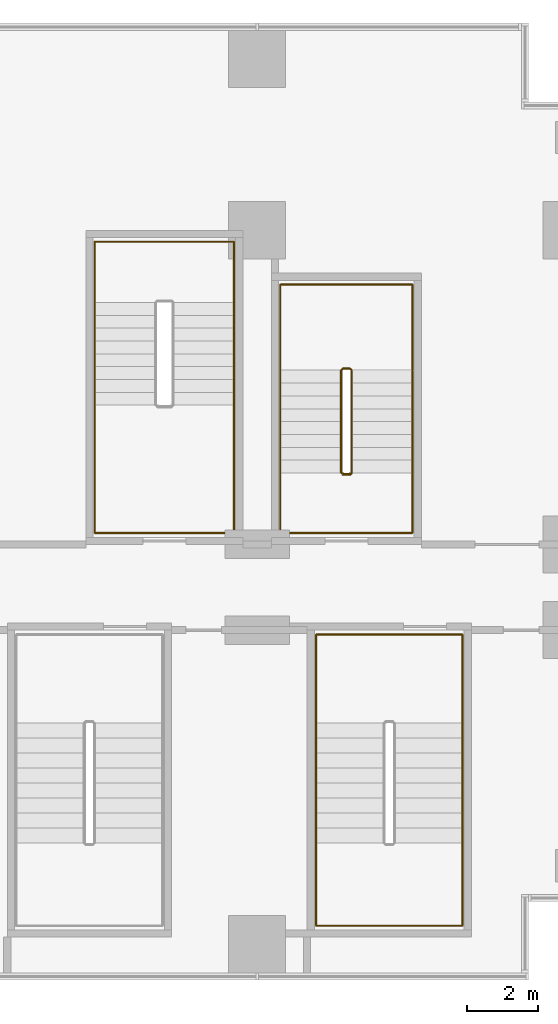
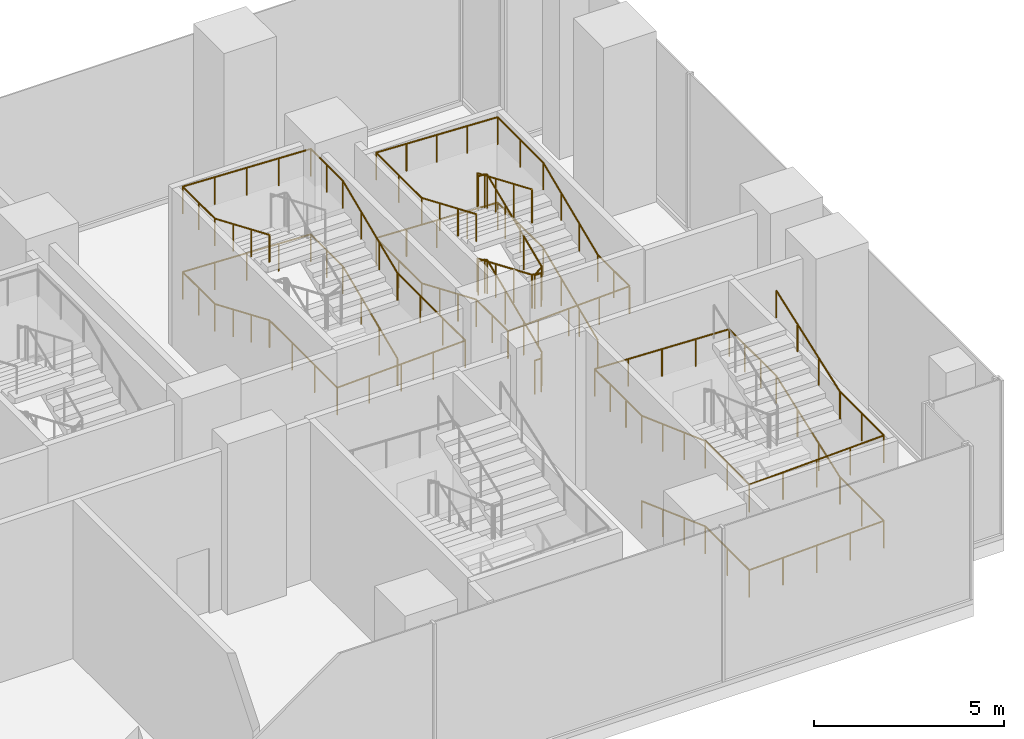
# One storey, part 29 of 30: 4 railings.
"""IFC4 building model written with IfcOpenShell, lengths in metres."""

import ifcopenshell
import ifcopenshell.guid

model = None  # the IFC model being written
_history = None  # IfcOwnerHistory: only IFC2X3 demands one
_inside = {}  # id of a spatial element -> (the spatial element, [elements in it])
_under = {}  # id of a project, library or spatial element -> (it, [spatial elements below it])
_declared = {}  # id of a project -> (the project, [libraries it declares])
_typed = {}  # id of a type object -> (the type object, [elements of that type])
_made_of = {}  # id of a material, layer set ... -> (it, [elements and type objects made of it])


def new_model(schema):
    """Start an empty IFC model of exactly this schema.

    Asked for "IFC4X3", IfcOpenShell would pick the latest addendum, in which some entities
    have other attributes; the version numbers below select the first issue.
    IFC2X3 requires an IfcOwnerHistory on every rooted entity: one is made here for all.
    """
    global model, _history
    if schema == "IFC4X3":
        model = ifcopenshell.file(schema_version=(4, 3, 0, 0))
    else:
        model = ifcopenshell.file(schema=schema)
    _inside.clear()
    _under.clear()
    _declared.clear()
    _typed.clear()
    _made_of.clear()
    _history = None
    if model.schema == "IFC2X3":
        org = make("IfcOrganization", Name="unknown")
        user = make(
            "IfcPersonAndOrganization",
            ThePerson=make("IfcPerson", FamilyName="unknown"),
            TheOrganization=org,
        )
        app = make(
            "IfcApplication",
            ApplicationDeveloper=org,
            Version="unknown",
            ApplicationFullName="unknown",
            ApplicationIdentifier="unknown",
        )
        _history = make(
            "IfcOwnerHistory",
            OwningUser=user,
            OwningApplication=app,
            ChangeAction="ADDED",
            CreationDate=0,
        )
    return model


def make(cls, **values):
    """One entity of the class cls with the attributes given. An attribute that is None is left unset."""
    return model.create_entity(
        cls, **{name: value for name, value in values.items() if value is not None}
    )


def rooted(cls, **values):
    """An entity with a GlobalId (a new one), such as an element, a storey or a relation."""
    return make(cls, GlobalId=ifcopenshell.guid.new(), OwnerHistory=_history, **values)


def si_unit(unit_type, name, prefix=None):
    """IfcSIUnit, for example si_unit("LENGTHUNIT", "METRE", prefix="MILLI")."""
    return make("IfcSIUnit", UnitType=unit_type, Prefix=prefix, Name=name)


def assignment(units):
    """IfcUnitAssignment: the units of a project."""
    return None if units is None else make("IfcUnitAssignment", Units=units)


def point(xyz):
    """IfcCartesianPoint."""
    return None if xyz is None else make("IfcCartesianPoint", Coordinates=xyz)


def direction(xyz):
    """IfcDirection."""
    return None if xyz is None else make("IfcDirection", DirectionRatios=xyz)


def frame(location, z_axis=None, x_axis=None):
    """IfcAxis2Placement3D, a coordinate frame: its origin and axes. An axis left out is left unset."""
    return make(
        "IfcAxis2Placement3D",
        Location=point(location),
        Axis=direction(z_axis),
        RefDirection=direction(x_axis),
    )


def frame_2d(location, x_axis=None):
    """IfcAxis2Placement2D, a coordinate frame in the plane: its origin and x axis."""
    return make(
        "IfcAxis2Placement2D", Location=point(location), RefDirection=direction(x_axis)
    )


def origin():
    """The frame at (0, 0, 0) with its axes left unset."""
    return frame((0.0, 0.0, 0.0))


def origin_2d():
    """The frame at (0, 0) in the plane with its x axis left unset."""
    return frame_2d((0.0, 0.0))


def place(relative_to, where):
    """IfcLocalPlacement: puts the frame where relative to a parent placement (None: the world)."""
    return make(
        "IfcLocalPlacement", PlacementRelTo=relative_to, RelativePlacement=where
    )


def context(
    kind, dimensions, precision=None, world=None, true_north=None, identifier=None
):
    """IfcGeometricRepresentationContext, for example the 3D "Model" context."""
    return make(
        "IfcGeometricRepresentationContext",
        ContextIdentifier=identifier,
        ContextType=kind,
        CoordinateSpaceDimension=dimensions,
        Precision=precision,
        WorldCoordinateSystem=world,
        TrueNorth=true_north,
    )


def subcontext(parent, identifier, kind, view, scale=None):
    """IfcGeometricRepresentationSubContext, for example "Body" below "Model"."""
    return make(
        "IfcGeometricRepresentationSubContext",
        ContextIdentifier=identifier,
        ContextType=kind,
        ParentContext=parent,
        TargetScale=scale,
        TargetView=view,
    )


def project(units=None, contexts=None):
    """IfcProject with its units and contexts."""
    return rooted(
        "IfcProject",
        Name="project",
        RepresentationContexts=contexts,
        UnitsInContext=assignment(units),
    )


def spatial(cls, under=None, at=None, **own):
    """A site, building, storey or space (cls), placed at a placement, below another one or the project."""
    s = rooted(cls, ObjectPlacement=at, **own)
    if under is not None:
        _under.setdefault(under.id(), (under, []))[1].append(s)
    return s


def profile(cls, at=None, kind="AREA", **sizes):
    """A parametric profile (cls). Its sizes go by their IFC names, for example OverallWidth=200.0."""
    return make(cls, ProfileType=kind, Position=at, **sizes)


def circle(**sizes):
    """IfcCircleProfileDef."""
    return profile("IfcCircleProfileDef", **sizes)


def extrude(swept, where, along, depth):
    """IfcExtrudedAreaSolid: the profile swept, set in the frame where, extruded along a direction by depth."""
    return make(
        "IfcExtrudedAreaSolid",
        SweptArea=swept,
        Position=where,
        ExtrudedDirection=direction(along),
        Depth=depth,
    )


def shape(context_of_items, identifier, shape_type, items):
    """IfcShapeRepresentation: the items that make up one representation, for example the "Body"."""
    return make(
        "IfcShapeRepresentation",
        ContextOfItems=context_of_items,
        RepresentationIdentifier=identifier,
        RepresentationType=shape_type,
        Items=items,
    )


def material(Name=None, Category=None):
    """IfcMaterial."""
    return make("IfcMaterial", Name=Name, Category=Category)


def made_of(thing, what):
    """Note that an element or type object is made of a material, layer set ...; save() writes the relation."""
    if what is not None:
        _made_of.setdefault(what.id(), (what, []))[1].append(thing)
    return thing


def type_object(cls, material=None, **own):
    """A type object (cls), such as IfcWallType, which elements share."""
    return made_of(rooted(cls, **own), material)


def element(
    cls,
    number,
    at=None,
    inside=None,
    cuts=None,
    type_object=None,
    material=None,
    context=None,
    identifier="Body",
    shape_type=None,
    held_by="IfcProductDefinitionShape",
    body=None,
    shapes=None,
    **own,
):
    """One element of the class cls, such as IfcWall. Its Tag is "e" and its number.

    at: its placement. inside: the storey or other place that contains it. cuts: it is an
    opening in that element (IfcRelVoidsElement). A single representation is given by context,
    identifier, shape_type and body (its items); several are given by shapes. held_by: the class
    of the entity that holds the representations. save() writes the other relations.
    """
    e = rooted(cls, Tag="e%d" % number, ObjectPlacement=at, **own)
    if body is not None:
        shapes = [shape(context, identifier, shape_type, body)]
    if shapes is not None:
        e.Representation = make(held_by, Representations=shapes)
    if inside is not None:
        _inside.setdefault(inside.id(), (inside, []))[1].append(e)
    if cuts is not None:
        rooted(
            "IfcRelVoidsElement", RelatingBuildingElement=cuts, RelatedOpeningElement=e
        )
    if type_object is not None:
        _typed.setdefault(type_object.id(), (type_object, []))[1].append(e)
    return made_of(e, material)


def aggregate(whole, parts):
    """IfcRelAggregates: a whole, such as a stair, and the parts it consists of."""
    return rooted("IfcRelAggregates", RelatingObject=whole, RelatedObjects=parts)


def save(model, path):
    """Write the relations noted so far, then the file.

    IfcRelAggregates (storeys below a building ...), IfcRelContainedInSpatialStructure (elements
    in a storey), IfcRelDefinesByType, IfcRelAssociatesMaterial and IfcRelDeclares: one each for
    every whole, place, type object, material and project.
    """
    for whole, parts in _under.values():
        aggregate(whole, parts)
    for where, things in _inside.values():
        rooted(
            "IfcRelContainedInSpatialStructure",
            RelatedElements=things,
            RelatingStructure=where,
        )
    for kind, things in _typed.values():
        rooted("IfcRelDefinesByType", RelatedObjects=things, RelatingType=kind)
    for what, things in _made_of.values():
        rooted("IfcRelAssociatesMaterial", RelatedObjects=things, RelatingMaterial=what)
    for by, libraries in _declared.values():
        rooted("IfcRelDeclares", RelatingContext=by, RelatedDefinitions=libraries)
    model.write(path)


model = new_model("IFC4")

# Units and contexts
model_context = context("Model", 3, precision=1e-05, world=origin(), true_north=direction((0.0, 1.0)))
body_context = subcontext(model_context, "Body", "Model", "MODEL_VIEW")
ifc_project = project(units=[si_unit("LENGTHUNIT", "METRE"), si_unit("AREAUNIT", "SQUARE_METRE"), si_unit("VOLUMEUNIT", "CUBIC_METRE"), si_unit("PLANEANGLEUNIT", "RADIAN"), si_unit("MASSUNIT", "GRAM", prefix="KILO")], contexts=[model_context])

# Site, building, storey
site_placement = place(None, origin())
site = spatial("IfcSite", under=ifc_project, at=site_placement, CompositionType="ELEMENT")
building_placement = place(site_placement, origin())
building = spatial("IfcBuilding", under=site, at=building_placement, Name="Kemantara Hotel Tower", CompositionType="ELEMENT")
storey_placement = place(building_placement, frame((0.0, 0.0, 18.0)))
storey = spatial("IfcBuildingStorey", under=building, at=storey_placement, Name="L03", CompositionType="ELEMENT", Elevation=18.0)

# Railings
ifc_material = material(Name="Stainless steel balustrade", Category="steel")
railing_type_1 = type_object("IfcRailingType", Name="Stair guard 1100 mm", PredefinedType="GUARDRAIL", material=ifc_material)
railing_1_placement = place(storey_placement, frame((73.75, 14.199951171875, 5.5)))
element("IfcRailing", 1, at=railing_1_placement, inside=storey, type_object=railing_type_1, Name="L03 ST5 stair guard 1", PredefinedType="GUARDRAIL", context=body_context, shape_type="SweptSolid", body=[
    extrude(circle(Radius=0.02392578125, at=origin_2d()), frame((0.0, 0.0, 1.076171875), z_axis=(0.0, 0.920547772064, -0.390630003133), x_axis=(-1.0, 0.0, 0.0)), (0.0, 0.0, 1.0), 3.128662109375),
    extrude(circle(Radius=0.02392578125, at=origin_2d()), frame((0.0, 2.880126953125, -0.14599609375), z_axis=(0.297283521722, 0.295833358201, -0.907802363892), x_axis=(-0.705375805398, 0.708833529934, 0.0)), (0.0, 0.0, 1.0), 0.16845703125),
    extrude(circle(Radius=0.02392578125, at=origin_2d()), frame((0.050048828125, 2.929931640625, -0.298828125), z_axis=(1.0, 0.0, 0.0), x_axis=(0.0, 1.0, 0.0)), (0.0, 0.0, 1.0), 0.199951171875),
    extrude(circle(Radius=0.02392578125, at=origin_2d()), frame((0.25, 2.929931640625, -0.298828125), z_axis=(0.708833529934, -0.705375805398, 0.0), x_axis=(0.705375805398, 0.708833529934, 0.0)), (0.0, 0.0, 1.0), 0.070556640625),
    extrude(circle(Radius=0.02392578125, at=origin_2d()), frame((0.300048828125, 2.880126953125, -0.298828125), z_axis=(0.0, -0.920547772064, -0.390630003133), x_axis=(1.0, 0.0, 0.0)), (0.0, 0.0, 1.0), 3.128662109375),
    extrude(circle(Radius=0.02392578125, at=origin_2d()), frame((0.300048828125, 0.0, -1.52099609375), z_axis=(-0.841019323802, -0.168368126347, -0.514138766309), x_axis=(0.196300278283, -0.98054382908, 0.0)), (0.0, 0.0, 1.0), 0.29736328125),
    extrude(circle(Radius=0.02392578125, at=origin_2d()), frame((0.050048828125, -0.050048828125, -1.673828125), z_axis=(1.0, 0.0, 0.0), x_axis=(0.0, 1.0, 0.0)), (0.0, 0.0, 1.0), 0.199951171875),
    extrude(circle(Radius=0.02392578125, at=origin_2d()), frame((0.25, -0.050048828125, -1.673828125), z_axis=(-0.98054382908, 0.196300278283, 0.0), x_axis=(-0.196300278283, -0.98054382908, 0.0)), (0.0, 0.0, 1.0), 0.2548828125),
    extrude(circle(Radius=0.02392578125, at=origin_2d()), frame((0.0, 0.0, -1.673828125), z_axis=(0.0, 0.920547772064, -0.390630003133), x_axis=(-1.0, 0.0, 0.0)), (0.0, 0.0, 1.0), 3.128662109375),
    extrude(circle(Radius=0.02392578125, at=origin_2d()), frame((0.0, 2.880126953125, -2.89599609375), z_axis=(0.297283521722, 0.295833358201, -0.907802363892), x_axis=(-0.705375805398, 0.708833529934, 0.0)), (0.0, 0.0, 1.0), 0.16845703125),
    extrude(circle(Radius=0.02392578125, at=origin_2d()), frame((0.050048828125, 2.929931640625, -3.048828125), z_axis=(1.0, 0.0, 0.0), x_axis=(0.0, 1.0, 0.0)), (0.0, 0.0, 1.0), 0.199951171875),
    extrude(circle(Radius=0.02392578125, at=origin_2d()), frame((0.25, 2.929931640625, -3.048828125), z_axis=(0.708833529934, -0.705375805398, 0.0), x_axis=(0.705375805398, 0.708833529934, 0.0)), (0.0, 0.0, 1.0), 0.070556640625),
    extrude(circle(Radius=0.02392578125, at=origin_2d()), frame((0.300048828125, 2.880126953125, -3.048828125), z_axis=(0.0, -0.920547772064, -0.390630003133), x_axis=(1.0, 0.0, 0.0)), (0.0, 0.0, 1.0), 3.128662109375),
    extrude(circle(Radius=0.02392578125, at=origin_2d()), frame((0.300048828125, 0.0, -4.27099609375), z_axis=(-0.297155754911, -0.297155754911, -0.90741220768), x_axis=(0.707106781187, -0.707106781187, 0.0)), (0.0, 0.0, 1.0), 0.16845703125),
    extrude(circle(Radius=0.02392578125, at=origin_2d()), frame((0.25, -0.050048828125, -4.423828125), z_axis=(-1.0, 0.0, 0.0), x_axis=(0.0, -1.0, 0.0)), (0.0, 0.0, 1.0), 0.199951171875),
    extrude(circle(Radius=0.02099609375, at=origin_2d()), origin(), (0.0, 0.0, 1.0), 1.052001953125),
    extrude(circle(Radius=0.02099609375, at=origin_2d()), frame((0.0, 0.9599609375, -0.407470703125)), (0.0, 0.0, 1.0), 1.052001953125),
    extrude(circle(Radius=0.02099609375, at=origin_2d()), frame((0.0, 1.920166015625, -0.814697265625)), (0.0, 0.0, 1.0), 1.052001953125),
    extrude(circle(Radius=0.02099609375, at=origin_2d()), frame((0.0, 2.880126953125, -1.22216796875)), (0.0, 0.0, 1.0), 1.052001953125),
    extrude(circle(Radius=0.02099609375, at=origin_2d()), frame((0.050048828125, 2.929931640625, -1.375)), (0.0, 0.0, 1.0), 1.052001953125),
    extrude(circle(Radius=0.02099609375, at=origin_2d()), frame((0.25, 2.929931640625, -1.375)), (0.0, 0.0, 1.0), 1.052001953125),
    extrude(circle(Radius=0.02099609375, at=origin_2d()), frame((0.300048828125, 2.880126953125, -1.375)), (0.0, 0.0, 1.0), 1.052001953125),
    extrude(circle(Radius=0.02099609375, at=origin_2d()), frame((0.300048828125, 1.920166015625, -1.782470703125)), (0.0, 0.0, 1.0), 1.052001953125),
    extrude(circle(Radius=0.02099609375, at=origin_2d()), frame((0.300048828125, 0.9599609375, -2.189697265625)), (0.0, 0.0, 1.0), 1.052001953125),
    extrude(circle(Radius=0.02099609375, at=origin_2d()), frame((0.300048828125, 0.0, -2.59716796875)), (0.0, 0.0, 1.0), 1.052001953125),
    extrude(circle(Radius=0.02099609375, at=origin_2d()), frame((0.050048828125, -0.050048828125, -2.75)), (0.0, 0.0, 1.0), 1.052001953125),
    extrude(circle(Radius=0.02099609375, at=origin_2d()), frame((0.25, -0.050048828125, -2.75)), (0.0, 0.0, 1.0), 1.052001953125),
    extrude(circle(Radius=0.02099609375, at=origin_2d()), frame((0.0, 0.0, -2.75)), (0.0, 0.0, 1.0), 1.052001953125),
    extrude(circle(Radius=0.02099609375, at=origin_2d()), frame((0.0, 0.9599609375, -3.157470703125)), (0.0, 0.0, 1.0), 1.052001953125),
    extrude(circle(Radius=0.02099609375, at=origin_2d()), frame((0.0, 1.920166015625, -3.564697265625)), (0.0, 0.0, 1.0), 1.052001953125),
    extrude(circle(Radius=0.02099609375, at=origin_2d()), frame((0.0, 2.880126953125, -3.97216796875)), (0.0, 0.0, 1.0), 1.052001953125),
    extrude(circle(Radius=0.02099609375, at=origin_2d()), frame((0.050048828125, 2.929931640625, -4.125)), (0.0, 0.0, 1.0), 1.052001953125),
    extrude(circle(Radius=0.02099609375, at=origin_2d()), frame((0.25, 2.929931640625, -4.125)), (0.0, 0.0, 1.0), 1.052001953125),
    extrude(circle(Radius=0.02099609375, at=origin_2d()), frame((0.300048828125, 2.880126953125, -4.125)), (0.0, 0.0, 1.0), 1.052001953125),
    extrude(circle(Radius=0.02099609375, at=origin_2d()), frame((0.300048828125, 1.920166015625, -4.532470703125)), (0.0, 0.0, 1.0), 1.052001953125),
    extrude(circle(Radius=0.02099609375, at=origin_2d()), frame((0.300048828125, 0.9599609375, -4.939697265625)), (0.0, 0.0, 1.0), 1.052001953125),
    extrude(circle(Radius=0.02099609375, at=origin_2d()), frame((0.300048828125, 0.0, -5.34716796875)), (0.0, 0.0, 1.0), 1.052001953125),
    extrude(circle(Radius=0.02099609375, at=origin_2d()), frame((0.25, -0.050048828125, -5.5)), (0.0, 0.0, 1.0), 1.052001953125),
    extrude(circle(Radius=0.02099609375, at=origin_2d()), frame((0.050048828125, -0.050048828125, -5.5)), (0.0, 0.0, 1.0), 1.052001953125),
])
railing_type_2 = type_object("IfcRailingType", Name="Stair handrail 900 mm", PredefinedType="HANDRAIL", material=ifc_material)
railing_2_placement = place(storey_placement, frame((75.75, 14.199951171875, 0.15283203125)))
element("IfcRailing", 2, at=railing_2_placement, inside=storey, type_object=railing_type_2, Name="L03 ST5 stair handrail 1", PredefinedType="HANDRAIL", context=body_context, shape_type="SweptSolid", body=[
    extrude(circle(Radius=0.02392578125, at=origin_2d()), frame((0.0, 0.0, 0.8759765625), z_axis=(0.0, 0.920547772064, 0.390630003133), x_axis=(-1.0, 0.0, 0.0)), (0.0, 0.0, 1.0), 3.128662109375),
    extrude(circle(Radius=0.02392578125, at=origin_2d()), frame((0.0, 2.880126953125, 2.09814453125), z_axis=(0.0, 1.0, 0.0), x_axis=(-1.0, 0.0, 0.0)), (0.0, 0.0, 1.0), 2.39990234375),
    extrude(circle(Radius=0.02392578125, at=origin_2d()), frame((0.0, 5.280029296875, 2.09814453125), z_axis=(-0.999147976703, 0.0, 0.041271305405), x_axis=(0.0, -1.0, 0.0)), (0.0, 0.0, 1.0), 3.703125),
    extrude(circle(Radius=0.02392578125, at=origin_2d()), frame((-3.699951171875, 5.280029296875, 2.2509765625), z_axis=(0.0, -1.0, 0.0), x_axis=(1.0, 0.0, 0.0)), (0.0, 0.0, 1.0), 2.39990234375),
    extrude(circle(Radius=0.02392578125, at=origin_2d()), frame((-3.699951171875, 2.880126953125, 2.2509765625), z_axis=(0.0, -0.920547772064, 0.390630003133), x_axis=(1.0, 0.0, 0.0)), (0.0, 0.0, 1.0), 3.128662109375),
    extrude(circle(Radius=0.02392578125, at=origin_2d()), frame((-3.699951171875, 0.0, 3.47314453125), z_axis=(0.0, -1.0, 0.0), x_axis=(1.0, 0.0, 0.0)), (0.0, 0.0, 1.0), 1.679931640625),
    extrude(circle(Radius=0.02392578125, at=origin_2d()), frame((-3.699951171875, -1.679931640625, 3.47314453125), z_axis=(0.999147976703, 0.0, 0.041271305405), x_axis=(0.0, 1.0, 0.0)), (0.0, 0.0, 1.0), 3.703125),
    extrude(circle(Radius=0.02392578125, at=origin_2d()), frame((0.0, -1.679931640625, 3.6259765625), z_axis=(0.0, 1.0, 0.0), x_axis=(-1.0, 0.0, 0.0)), (0.0, 0.0, 1.0), 1.679931640625),
    extrude(circle(Radius=0.02392578125, at=origin_2d()), frame((0.0, 0.0, 3.6259765625), z_axis=(0.0, 0.920547772064, 0.390630003133), x_axis=(-1.0, 0.0, 0.0)), (0.0, 0.0, 1.0), 3.128662109375),
    extrude(circle(Radius=0.02392578125, at=origin_2d()), frame((0.0, 2.880126953125, 4.84814453125), z_axis=(0.0, 1.0, 0.0), x_axis=(-1.0, 0.0, 0.0)), (0.0, 0.0, 1.0), 2.39990234375),
    extrude(circle(Radius=0.02392578125, at=origin_2d()), frame((0.0, 5.280029296875, 4.84814453125), z_axis=(-0.999147976703, 0.0, 0.041271305405), x_axis=(0.0, -1.0, 0.0)), (0.0, 0.0, 1.0), 3.703125),
    extrude(circle(Radius=0.02392578125, at=origin_2d()), frame((-3.699951171875, 5.280029296875, 5.0009765625), z_axis=(0.0, -1.0, 0.0), x_axis=(1.0, 0.0, 0.0)), (0.0, 0.0, 1.0), 2.39990234375),
    extrude(circle(Radius=0.02392578125, at=origin_2d()), frame((-3.699951171875, 2.880126953125, 5.0009765625), z_axis=(0.0, -0.920547772064, 0.390630003133), x_axis=(1.0, 0.0, 0.0)), (0.0, 0.0, 1.0), 3.128662109375),
    extrude(circle(Radius=0.02099609375, at=origin_2d()), origin(), (0.0, 0.0, 1.0), 0.851806640625),
    extrude(circle(Radius=0.02099609375, at=origin_2d()), frame((0.0, 0.9599609375, 0.407470703125)), (0.0, 0.0, 1.0), 0.851806640625),
    extrude(circle(Radius=0.02099609375, at=origin_2d()), frame((0.0, 1.920166015625, 0.814697265625)), (0.0, 0.0, 1.0), 0.851806640625),
    extrude(circle(Radius=0.02099609375, at=origin_2d()), frame((0.0, 2.880126953125, 1.22216796875)), (0.0, 0.0, 1.0), 0.851806640625),
    extrude(circle(Radius=0.02099609375, at=origin_2d()), frame((0.0, 4.080078125, 1.22216796875)), (0.0, 0.0, 1.0), 0.851806640625),
    extrude(circle(Radius=0.02099609375, at=origin_2d()), frame((0.0, 5.280029296875, 1.22216796875)), (0.0, 0.0, 1.0), 0.851806640625),
    extrude(circle(Radius=0.02099609375, at=origin_2d()), frame((-0.925048828125, 5.280029296875, 1.26025390625)), (0.0, 0.0, 1.0), 0.851806640625),
    extrude(circle(Radius=0.02099609375, at=origin_2d()), frame((-1.85009765625, 5.280029296875, 1.298583984375)), (0.0, 0.0, 1.0), 0.851806640625),
    extrude(circle(Radius=0.02099609375, at=origin_2d()), frame((-2.77490234375, 5.280029296875, 1.3369140625)), (0.0, 0.0, 1.0), 0.851806640625),
    extrude(circle(Radius=0.02099609375, at=origin_2d()), frame((-3.699951171875, 5.280029296875, 1.375)), (0.0, 0.0, 1.0), 0.851806640625),
    extrude(circle(Radius=0.02099609375, at=origin_2d()), frame((-3.699951171875, 4.080078125, 1.375)), (0.0, 0.0, 1.0), 0.851806640625),
    extrude(circle(Radius=0.02099609375, at=origin_2d()), frame((-3.699951171875, 2.880126953125, 1.375)), (0.0, 0.0, 1.0), 0.851806640625),
    extrude(circle(Radius=0.02099609375, at=origin_2d()), frame((-3.699951171875, 1.920166015625, 1.782470703125)), (0.0, 0.0, 1.0), 0.851806640625),
    extrude(circle(Radius=0.02099609375, at=origin_2d()), frame((-3.699951171875, 0.9599609375, 2.189697265625)), (0.0, 0.0, 1.0), 0.851806640625),
    extrude(circle(Radius=0.02099609375, at=origin_2d()), frame((-3.699951171875, 0.0, 2.59716796875)), (0.0, 0.0, 1.0), 0.851806640625),
    extrude(circle(Radius=0.02099609375, at=origin_2d()), frame((-3.699951171875, -0.83984375, 2.59716796875)), (0.0, 0.0, 1.0), 0.851806640625),
    extrude(circle(Radius=0.02099609375, at=origin_2d()), frame((-3.699951171875, -1.679931640625, 2.59716796875)), (0.0, 0.0, 1.0), 0.851806640625),
    extrude(circle(Radius=0.02099609375, at=origin_2d()), frame((-2.77490234375, -1.679931640625, 2.63525390625)), (0.0, 0.0, 1.0), 0.851806640625),
    extrude(circle(Radius=0.02099609375, at=origin_2d()), frame((-1.85009765625, -1.679931640625, 2.673583984375)), (0.0, 0.0, 1.0), 0.851806640625),
    extrude(circle(Radius=0.02099609375, at=origin_2d()), frame((-0.925048828125, -1.679931640625, 2.7119140625)), (0.0, 0.0, 1.0), 0.851806640625),
    extrude(circle(Radius=0.02099609375, at=origin_2d()), frame((0.0, -1.679931640625, 2.75)), (0.0, 0.0, 1.0), 0.851806640625),
    extrude(circle(Radius=0.02099609375, at=origin_2d()), frame((0.0, -0.83984375, 2.75)), (0.0, 0.0, 1.0), 0.851806640625),
    extrude(circle(Radius=0.02099609375, at=origin_2d()), frame((0.0, 0.0, 2.75)), (0.0, 0.0, 1.0), 0.851806640625),
    extrude(circle(Radius=0.02099609375, at=origin_2d()), frame((0.0, 0.9599609375, 3.157470703125)), (0.0, 0.0, 1.0), 0.851806640625),
    extrude(circle(Radius=0.02099609375, at=origin_2d()), frame((0.0, 1.920166015625, 3.564697265625)), (0.0, 0.0, 1.0), 0.851806640625),
    extrude(circle(Radius=0.02099609375, at=origin_2d()), frame((0.0, 2.880126953125, 3.97216796875)), (0.0, 0.0, 1.0), 0.851806640625),
    extrude(circle(Radius=0.02099609375, at=origin_2d()), frame((0.0, 4.080078125, 3.97216796875)), (0.0, 0.0, 1.0), 0.851806640625),
    extrude(circle(Radius=0.02099609375, at=origin_2d()), frame((0.0, 5.280029296875, 3.97216796875)), (0.0, 0.0, 1.0), 0.851806640625),
    extrude(circle(Radius=0.02099609375, at=origin_2d()), frame((-0.925048828125, 5.280029296875, 4.01025390625)), (0.0, 0.0, 1.0), 0.851806640625),
    extrude(circle(Radius=0.02099609375, at=origin_2d()), frame((-1.85009765625, 5.280029296875, 4.048583984375)), (0.0, 0.0, 1.0), 0.851806640625),
    extrude(circle(Radius=0.02099609375, at=origin_2d()), frame((-2.77490234375, 5.280029296875, 4.0869140625)), (0.0, 0.0, 1.0), 0.851806640625),
    extrude(circle(Radius=0.02099609375, at=origin_2d()), frame((-3.699951171875, 5.280029296875, 4.125)), (0.0, 0.0, 1.0), 0.851806640625),
    extrude(circle(Radius=0.02099609375, at=origin_2d()), frame((-3.699951171875, 4.080078125, 4.125)), (0.0, 0.0, 1.0), 0.851806640625),
    extrude(circle(Radius=0.02099609375, at=origin_2d()), frame((-3.699951171875, 2.880126953125, 4.125)), (0.0, 0.0, 1.0), 0.851806640625),
    extrude(circle(Radius=0.02099609375, at=origin_2d()), frame((-3.699951171875, 1.920166015625, 4.532470703125)), (0.0, 0.0, 1.0), 0.851806640625),
    extrude(circle(Radius=0.02099609375, at=origin_2d()), frame((-3.699951171875, 0.9599609375, 4.939697265625)), (0.0, 0.0, 1.0), 0.851806640625),
    extrude(circle(Radius=0.02099609375, at=origin_2d()), frame((-3.699951171875, 0.0, 5.34716796875)), (0.0, 0.0, 1.0), 0.851806640625),
])
railing_3_placement = place(storey_placement, frame((70.75, 16.10009765625, 0.15283203125)))
element("IfcRailing", 3, at=railing_3_placement, inside=storey, type_object=railing_type_2, Name="L03 PS1 stair handrail 1", PredefinedType="HANDRAIL", context=body_context, shape_type="SweptSolid", body=[
    extrude(circle(Radius=0.02392578125, at=origin_2d()), frame((0.0, 0.0, 0.8759765625), z_axis=(0.0, 0.920535863683, 0.390658064903), x_axis=(-1.0, 0.0, 0.0)), (0.0, 0.0, 1.0), 3.12841796875),
    extrude(circle(Radius=0.02392578125, at=origin_2d()), frame((0.0, 2.8798828125, 2.09814453125), z_axis=(0.0, 1.0, 0.0), x_axis=(-1.0, 0.0, 0.0)), (0.0, 0.0, 1.0), 1.699951171875),
    extrude(circle(Radius=0.02392578125, at=origin_2d()), frame((0.0, 4.579833984375, 2.09814453125), z_axis=(-0.999233006938, 0.0, 0.039158624161), x_axis=(0.0, -1.0, 0.0)), (0.0, 0.0, 1.0), 3.90283203125),
    extrude(circle(Radius=0.02392578125, at=origin_2d()), frame((-3.89990234375, 4.579833984375, 2.2509765625), z_axis=(0.0, -1.0, 0.0), x_axis=(1.0, 0.0, 0.0)), (0.0, 0.0, 1.0), 1.699951171875),
    extrude(circle(Radius=0.02392578125, at=origin_2d()), frame((-3.89990234375, 2.8798828125, 2.2509765625), z_axis=(0.0, -0.920535863683, 0.390658064903), x_axis=(1.0, 0.0, 0.0)), (0.0, 0.0, 1.0), 3.12841796875),
    extrude(circle(Radius=0.02392578125, at=origin_2d()), frame((-3.89990234375, 0.0, 3.47314453125), z_axis=(0.0, -1.0, 0.0), x_axis=(1.0, 0.0, 0.0)), (0.0, 0.0, 1.0), 3.580078125),
    extrude(circle(Radius=0.02392578125, at=origin_2d()), frame((-3.89990234375, -3.580078125, 3.47314453125), z_axis=(0.999233006938, 0.0, 0.039158624161), x_axis=(0.0, 1.0, 0.0)), (0.0, 0.0, 1.0), 3.90283203125),
    extrude(circle(Radius=0.02392578125, at=origin_2d()), frame((0.0, -3.580078125, 3.6259765625), z_axis=(0.0, 1.0, 0.0), x_axis=(-1.0, 0.0, 0.0)), (0.0, 0.0, 1.0), 3.580078125),
    extrude(circle(Radius=0.02392578125, at=origin_2d()), frame((0.0, 0.0, 3.6259765625), z_axis=(0.0, 0.920535863683, 0.390658064903), x_axis=(-1.0, 0.0, 0.0)), (0.0, 0.0, 1.0), 3.12841796875),
    extrude(circle(Radius=0.02392578125, at=origin_2d()), frame((0.0, 2.8798828125, 4.84814453125), z_axis=(0.0, 1.0, 0.0), x_axis=(-1.0, 0.0, 0.0)), (0.0, 0.0, 1.0), 1.699951171875),
    extrude(circle(Radius=0.02392578125, at=origin_2d()), frame((0.0, 4.579833984375, 4.84814453125), z_axis=(-0.999233006938, 0.0, 0.039158624161), x_axis=(0.0, -1.0, 0.0)), (0.0, 0.0, 1.0), 3.90283203125),
    extrude(circle(Radius=0.02392578125, at=origin_2d()), frame((-3.89990234375, 4.579833984375, 5.0009765625), z_axis=(0.0, -1.0, 0.0), x_axis=(1.0, 0.0, 0.0)), (0.0, 0.0, 1.0), 1.699951171875),
    extrude(circle(Radius=0.02392578125, at=origin_2d()), frame((-3.89990234375, 2.8798828125, 5.0009765625), z_axis=(0.0, -0.920535863683, 0.390658064903), x_axis=(1.0, 0.0, 0.0)), (0.0, 0.0, 1.0), 3.12841796875),
    extrude(circle(Radius=0.02099609375, at=origin_2d()), origin(), (0.0, 0.0, 1.0), 0.851806640625),
    extrude(circle(Radius=0.02099609375, at=origin_2d()), frame((0.0, 0.9599609375, 0.407470703125)), (0.0, 0.0, 1.0), 0.851806640625),
    extrude(circle(Radius=0.02099609375, at=origin_2d()), frame((0.0, 1.919921875, 0.814697265625)), (0.0, 0.0, 1.0), 0.851806640625),
    extrude(circle(Radius=0.02099609375, at=origin_2d()), frame((0.0, 2.8798828125, 1.22216796875)), (0.0, 0.0, 1.0), 0.851806640625),
    extrude(circle(Radius=0.02099609375, at=origin_2d()), frame((0.0, 3.72998046875, 1.22216796875)), (0.0, 0.0, 1.0), 0.851806640625),
    extrude(circle(Radius=0.02099609375, at=origin_2d()), frame((0.0, 4.579833984375, 1.22216796875)), (0.0, 0.0, 1.0), 0.851806640625),
    extrude(circle(Radius=0.02099609375, at=origin_2d()), frame((-0.97509765625, 4.579833984375, 1.26025390625)), (0.0, 0.0, 1.0), 0.851806640625),
    extrude(circle(Radius=0.02099609375, at=origin_2d()), frame((-1.949951171875, 4.579833984375, 1.298583984375)), (0.0, 0.0, 1.0), 0.851806640625),
    extrude(circle(Radius=0.02099609375, at=origin_2d()), frame((-2.9248046875, 4.579833984375, 1.3369140625)), (0.0, 0.0, 1.0), 0.851806640625),
    extrude(circle(Radius=0.02099609375, at=origin_2d()), frame((-3.89990234375, 4.579833984375, 1.375)), (0.0, 0.0, 1.0), 0.851806640625),
    extrude(circle(Radius=0.02099609375, at=origin_2d()), frame((-3.89990234375, 3.72998046875, 1.375)), (0.0, 0.0, 1.0), 0.851806640625),
    extrude(circle(Radius=0.02099609375, at=origin_2d()), frame((-3.89990234375, 2.8798828125, 1.375)), (0.0, 0.0, 1.0), 0.851806640625),
    extrude(circle(Radius=0.02099609375, at=origin_2d()), frame((-3.89990234375, 1.919921875, 1.782470703125)), (0.0, 0.0, 1.0), 0.851806640625),
    extrude(circle(Radius=0.02099609375, at=origin_2d()), frame((-3.89990234375, 0.9599609375, 2.189697265625)), (0.0, 0.0, 1.0), 0.851806640625),
    extrude(circle(Radius=0.02099609375, at=origin_2d()), frame((-3.89990234375, 0.0, 2.59716796875)), (0.0, 0.0, 1.0), 0.851806640625),
    extrude(circle(Radius=0.02099609375, at=origin_2d()), frame((-3.89990234375, -1.193359375, 2.59716796875)), (0.0, 0.0, 1.0), 0.851806640625),
    extrude(circle(Radius=0.02099609375, at=origin_2d()), frame((-3.89990234375, -2.38671875, 2.59716796875)), (0.0, 0.0, 1.0), 0.851806640625),
    extrude(circle(Radius=0.02099609375, at=origin_2d()), frame((-3.89990234375, -3.580078125, 2.59716796875)), (0.0, 0.0, 1.0), 0.851806640625),
    extrude(circle(Radius=0.02099609375, at=origin_2d()), frame((-2.9248046875, -3.580078125, 2.63525390625)), (0.0, 0.0, 1.0), 0.851806640625),
    extrude(circle(Radius=0.02099609375, at=origin_2d()), frame((-1.949951171875, -3.580078125, 2.673583984375)), (0.0, 0.0, 1.0), 0.851806640625),
    extrude(circle(Radius=0.02099609375, at=origin_2d()), frame((-0.97509765625, -3.580078125, 2.7119140625)), (0.0, 0.0, 1.0), 0.851806640625),
    extrude(circle(Radius=0.02099609375, at=origin_2d()), frame((0.0, -3.580078125, 2.75)), (0.0, 0.0, 1.0), 0.851806640625),
    extrude(circle(Radius=0.02099609375, at=origin_2d()), frame((0.0, -2.38671875, 2.75)), (0.0, 0.0, 1.0), 0.851806640625),
    extrude(circle(Radius=0.02099609375, at=origin_2d()), frame((0.0, -1.193359375, 2.75)), (0.0, 0.0, 1.0), 0.851806640625),
    extrude(circle(Radius=0.02099609375, at=origin_2d()), frame((0.0, 0.0, 2.75)), (0.0, 0.0, 1.0), 0.851806640625),
    extrude(circle(Radius=0.02099609375, at=origin_2d()), frame((0.0, 0.9599609375, 3.157470703125)), (0.0, 0.0, 1.0), 0.851806640625),
    extrude(circle(Radius=0.02099609375, at=origin_2d()), frame((0.0, 1.919921875, 3.564697265625)), (0.0, 0.0, 1.0), 0.851806640625),
    extrude(circle(Radius=0.02099609375, at=origin_2d()), frame((0.0, 2.8798828125, 3.97216796875)), (0.0, 0.0, 1.0), 0.851806640625),
    extrude(circle(Radius=0.02099609375, at=origin_2d()), frame((0.0, 3.72998046875, 3.97216796875)), (0.0, 0.0, 1.0), 0.851806640625),
    extrude(circle(Radius=0.02099609375, at=origin_2d()), frame((0.0, 4.579833984375, 3.97216796875)), (0.0, 0.0, 1.0), 0.851806640625),
    extrude(circle(Radius=0.02099609375, at=origin_2d()), frame((-0.97509765625, 4.579833984375, 4.01025390625)), (0.0, 0.0, 1.0), 0.851806640625),
    extrude(circle(Radius=0.02099609375, at=origin_2d()), frame((-1.949951171875, 4.579833984375, 4.048583984375)), (0.0, 0.0, 1.0), 0.851806640625),
    extrude(circle(Radius=0.02099609375, at=origin_2d()), frame((-2.9248046875, 4.579833984375, 4.0869140625)), (0.0, 0.0, 1.0), 0.851806640625),
    extrude(circle(Radius=0.02099609375, at=origin_2d()), frame((-3.89990234375, 4.579833984375, 4.125)), (0.0, 0.0, 1.0), 0.851806640625),
    extrude(circle(Radius=0.02099609375, at=origin_2d()), frame((-3.89990234375, 3.72998046875, 4.125)), (0.0, 0.0, 1.0), 0.851806640625),
    extrude(circle(Radius=0.02099609375, at=origin_2d()), frame((-3.89990234375, 2.8798828125, 4.125)), (0.0, 0.0, 1.0), 0.851806640625),
    extrude(circle(Radius=0.02099609375, at=origin_2d()), frame((-3.89990234375, 1.919921875, 4.532470703125)), (0.0, 0.0, 1.0), 0.851806640625),
    extrude(circle(Radius=0.02099609375, at=origin_2d()), frame((-3.89990234375, 0.9599609375, 4.939697265625)), (0.0, 0.0, 1.0), 0.851806640625),
    extrude(circle(Radius=0.02099609375, at=origin_2d()), frame((-3.89990234375, 0.0, 5.34716796875)), (0.0, 0.0, 1.0), 0.851806640625),
])
railing_4_placement = place(storey_placement, frame((73.050048828125, 7.199951171875, 0.15283203125)))
element("IfcRailing", 4, at=railing_4_placement, inside=storey, type_object=railing_type_2, Name="L03 PS5 stair handrail 1", PredefinedType="HANDRAIL", context=body_context, shape_type="SweptSolid", body=[
    extrude(circle(Radius=0.02392578125, at=origin_2d()), frame((0.0, 0.0, 0.8759765625), z_axis=(0.0, -0.93975753056, 0.341841752506), x_axis=(1.0, 0.0, 0.0)), (0.0, 0.0, 1.0), 3.5751953125),
    extrude(circle(Radius=0.02392578125, at=origin_2d()), frame((0.0, -3.35986328125, 2.09814453125), z_axis=(0.0, -1.0, 0.0), x_axis=(1.0, 0.0, 0.0)), (0.0, 0.0, 1.0), 2.320068359375),
    extrude(circle(Radius=0.02392578125, at=origin_2d()), frame((0.0, -5.679931640625, 2.09814453125), z_axis=(0.999305919635, 0.0, 0.03725156349), x_axis=(0.0, 1.0, 0.0)), (0.0, 0.0, 1.0), 4.102783203125),
    extrude(circle(Radius=0.02392578125, at=origin_2d()), frame((4.099853515625, -5.679931640625, 2.2509765625), z_axis=(0.0, 1.0, 0.0), x_axis=(-1.0, 0.0, 0.0)), (0.0, 0.0, 1.0), 2.320068359375),
    extrude(circle(Radius=0.02392578125, at=origin_2d()), frame((4.099853515625, -3.35986328125, 2.2509765625), z_axis=(0.0, 0.93975753056, 0.341841752506), x_axis=(-1.0, 0.0, 0.0)), (0.0, 0.0, 1.0), 3.5751953125),
    extrude(circle(Radius=0.02392578125, at=origin_2d()), frame((4.099853515625, 0.0, 3.47314453125), z_axis=(0.0, 1.0, 0.0), x_axis=(-1.0, 0.0, 0.0)), (0.0, 0.0, 1.0), 2.47998046875),
    extrude(circle(Radius=0.02392578125, at=origin_2d()), frame((4.099853515625, 2.47998046875, 3.47314453125), z_axis=(-0.999305919635, 0.0, 0.03725156349), x_axis=(0.0, -1.0, 0.0)), (0.0, 0.0, 1.0), 4.102783203125),
    extrude(circle(Radius=0.02392578125, at=origin_2d()), frame((0.0, 2.47998046875, 3.6259765625), z_axis=(0.0, -1.0, 0.0), x_axis=(1.0, 0.0, 0.0)), (0.0, 0.0, 1.0), 2.47998046875),
    extrude(circle(Radius=0.02392578125, at=origin_2d()), frame((0.0, 0.0, 3.6259765625), z_axis=(0.0, -0.93975753056, 0.341841752506), x_axis=(1.0, 0.0, 0.0)), (0.0, 0.0, 1.0), 3.5751953125),
    extrude(circle(Radius=0.02392578125, at=origin_2d()), frame((0.0, -3.35986328125, 4.84814453125), z_axis=(0.0, -1.0, 0.0), x_axis=(1.0, 0.0, 0.0)), (0.0, 0.0, 1.0), 2.320068359375),
    extrude(circle(Radius=0.02392578125, at=origin_2d()), frame((0.0, -5.679931640625, 4.84814453125), z_axis=(0.999305919635, 0.0, 0.03725156349), x_axis=(0.0, 1.0, 0.0)), (0.0, 0.0, 1.0), 4.102783203125),
    extrude(circle(Radius=0.02392578125, at=origin_2d()), frame((4.099853515625, -5.679931640625, 5.0009765625), z_axis=(0.0, 1.0, 0.0), x_axis=(-1.0, 0.0, 0.0)), (0.0, 0.0, 1.0), 2.320068359375),
    extrude(circle(Radius=0.02392578125, at=origin_2d()), frame((4.099853515625, -3.35986328125, 5.0009765625), z_axis=(0.0, 0.93975753056, 0.341841752506), x_axis=(-1.0, 0.0, 0.0)), (0.0, 0.0, 1.0), 3.5751953125),
    extrude(circle(Radius=0.02099609375, at=origin_2d()), origin(), (0.0, 0.0, 1.0), 0.851806640625),
    extrude(circle(Radius=0.02099609375, at=origin_2d()), frame((0.0, -1.119873046875, 0.407470703125)), (0.0, 0.0, 1.0), 0.851806640625),
    extrude(circle(Radius=0.02099609375, at=origin_2d()), frame((0.0, -2.239990234375, 0.814697265625)), (0.0, 0.0, 1.0), 0.851806640625),
    extrude(circle(Radius=0.02099609375, at=origin_2d()), frame((0.0, -3.35986328125, 1.22216796875)), (0.0, 0.0, 1.0), 0.851806640625),
    extrude(circle(Radius=0.02099609375, at=origin_2d()), frame((0.0, -4.52001953125, 1.22216796875)), (0.0, 0.0, 1.0), 0.851806640625),
    extrude(circle(Radius=0.02099609375, at=origin_2d()), frame((0.0, -5.679931640625, 1.22216796875)), (0.0, 0.0, 1.0), 0.851806640625),
    extrude(circle(Radius=0.02099609375, at=origin_2d()), frame((1.02490234375, -5.679931640625, 1.26025390625)), (0.0, 0.0, 1.0), 0.851806640625),
    extrude(circle(Radius=0.02099609375, at=origin_2d()), frame((2.0498046875, -5.679931640625, 1.298583984375)), (0.0, 0.0, 1.0), 0.851806640625),
    extrude(circle(Radius=0.02099609375, at=origin_2d()), frame((3.074951171875, -5.679931640625, 1.3369140625)), (0.0, 0.0, 1.0), 0.851806640625),
    extrude(circle(Radius=0.02099609375, at=origin_2d()), frame((4.099853515625, -5.679931640625, 1.375)), (0.0, 0.0, 1.0), 0.851806640625),
    extrude(circle(Radius=0.02099609375, at=origin_2d()), frame((4.099853515625, -4.52001953125, 1.375)), (0.0, 0.0, 1.0), 0.851806640625),
    extrude(circle(Radius=0.02099609375, at=origin_2d()), frame((4.099853515625, -3.35986328125, 1.375)), (0.0, 0.0, 1.0), 0.851806640625),
    extrude(circle(Radius=0.02099609375, at=origin_2d()), frame((4.099853515625, -2.239990234375, 1.782470703125)), (0.0, 0.0, 1.0), 0.851806640625),
    extrude(circle(Radius=0.02099609375, at=origin_2d()), frame((4.099853515625, -1.119873046875, 2.189697265625)), (0.0, 0.0, 1.0), 0.851806640625),
    extrude(circle(Radius=0.02099609375, at=origin_2d()), frame((4.099853515625, 0.0, 2.59716796875)), (0.0, 0.0, 1.0), 0.851806640625),
    extrude(circle(Radius=0.02099609375, at=origin_2d()), frame((4.099853515625, 0.82666015625, 2.59716796875)), (0.0, 0.0, 1.0), 0.851806640625),
    extrude(circle(Radius=0.02099609375, at=origin_2d()), frame((4.099853515625, 1.6533203125, 2.59716796875)), (0.0, 0.0, 1.0), 0.851806640625),
    extrude(circle(Radius=0.02099609375, at=origin_2d()), frame((4.099853515625, 2.47998046875, 2.59716796875)), (0.0, 0.0, 1.0), 0.851806640625),
    extrude(circle(Radius=0.02099609375, at=origin_2d()), frame((3.074951171875, 2.47998046875, 2.63525390625)), (0.0, 0.0, 1.0), 0.851806640625),
    extrude(circle(Radius=0.02099609375, at=origin_2d()), frame((2.0498046875, 2.47998046875, 2.673583984375)), (0.0, 0.0, 1.0), 0.851806640625),
    extrude(circle(Radius=0.02099609375, at=origin_2d()), frame((1.02490234375, 2.47998046875, 2.7119140625)), (0.0, 0.0, 1.0), 0.851806640625),
    extrude(circle(Radius=0.02099609375, at=origin_2d()), frame((0.0, 2.47998046875, 2.75)), (0.0, 0.0, 1.0), 0.851806640625),
    extrude(circle(Radius=0.02099609375, at=origin_2d()), frame((0.0, 1.6533203125, 2.75)), (0.0, 0.0, 1.0), 0.851806640625),
    extrude(circle(Radius=0.02099609375, at=origin_2d()), frame((0.0, 0.82666015625, 2.75)), (0.0, 0.0, 1.0), 0.851806640625),
    extrude(circle(Radius=0.02099609375, at=origin_2d()), frame((0.0, 0.0, 2.75)), (0.0, 0.0, 1.0), 0.851806640625),
    extrude(circle(Radius=0.02099609375, at=origin_2d()), frame((0.0, -1.119873046875, 3.157470703125)), (0.0, 0.0, 1.0), 0.851806640625),
    extrude(circle(Radius=0.02099609375, at=origin_2d()), frame((0.0, -2.239990234375, 3.564697265625)), (0.0, 0.0, 1.0), 0.851806640625),
    extrude(circle(Radius=0.02099609375, at=origin_2d()), frame((0.0, -3.35986328125, 3.97216796875)), (0.0, 0.0, 1.0), 0.851806640625),
    extrude(circle(Radius=0.02099609375, at=origin_2d()), frame((0.0, -4.52001953125, 3.97216796875)), (0.0, 0.0, 1.0), 0.851806640625),
    extrude(circle(Radius=0.02099609375, at=origin_2d()), frame((0.0, -5.679931640625, 3.97216796875)), (0.0, 0.0, 1.0), 0.851806640625),
    extrude(circle(Radius=0.02099609375, at=origin_2d()), frame((1.02490234375, -5.679931640625, 4.01025390625)), (0.0, 0.0, 1.0), 0.851806640625),
    extrude(circle(Radius=0.02099609375, at=origin_2d()), frame((2.0498046875, -5.679931640625, 4.048583984375)), (0.0, 0.0, 1.0), 0.851806640625),
    extrude(circle(Radius=0.02099609375, at=origin_2d()), frame((3.074951171875, -5.679931640625, 4.0869140625)), (0.0, 0.0, 1.0), 0.851806640625),
    extrude(circle(Radius=0.02099609375, at=origin_2d()), frame((4.099853515625, -5.679931640625, 4.125)), (0.0, 0.0, 1.0), 0.851806640625),
    extrude(circle(Radius=0.02099609375, at=origin_2d()), frame((4.099853515625, -4.52001953125, 4.125)), (0.0, 0.0, 1.0), 0.851806640625),
    extrude(circle(Radius=0.02099609375, at=origin_2d()), frame((4.099853515625, -3.35986328125, 4.125)), (0.0, 0.0, 1.0), 0.851806640625),
    extrude(circle(Radius=0.02099609375, at=origin_2d()), frame((4.099853515625, -2.239990234375, 4.532470703125)), (0.0, 0.0, 1.0), 0.851806640625),
    extrude(circle(Radius=0.02099609375, at=origin_2d()), frame((4.099853515625, -1.119873046875, 4.939697265625)), (0.0, 0.0, 1.0), 0.851806640625),
    extrude(circle(Radius=0.02099609375, at=origin_2d()), frame((4.099853515625, 0.0, 5.34716796875)), (0.0, 0.0, 1.0), 0.851806640625),
])

save(model, "model.ifc")
